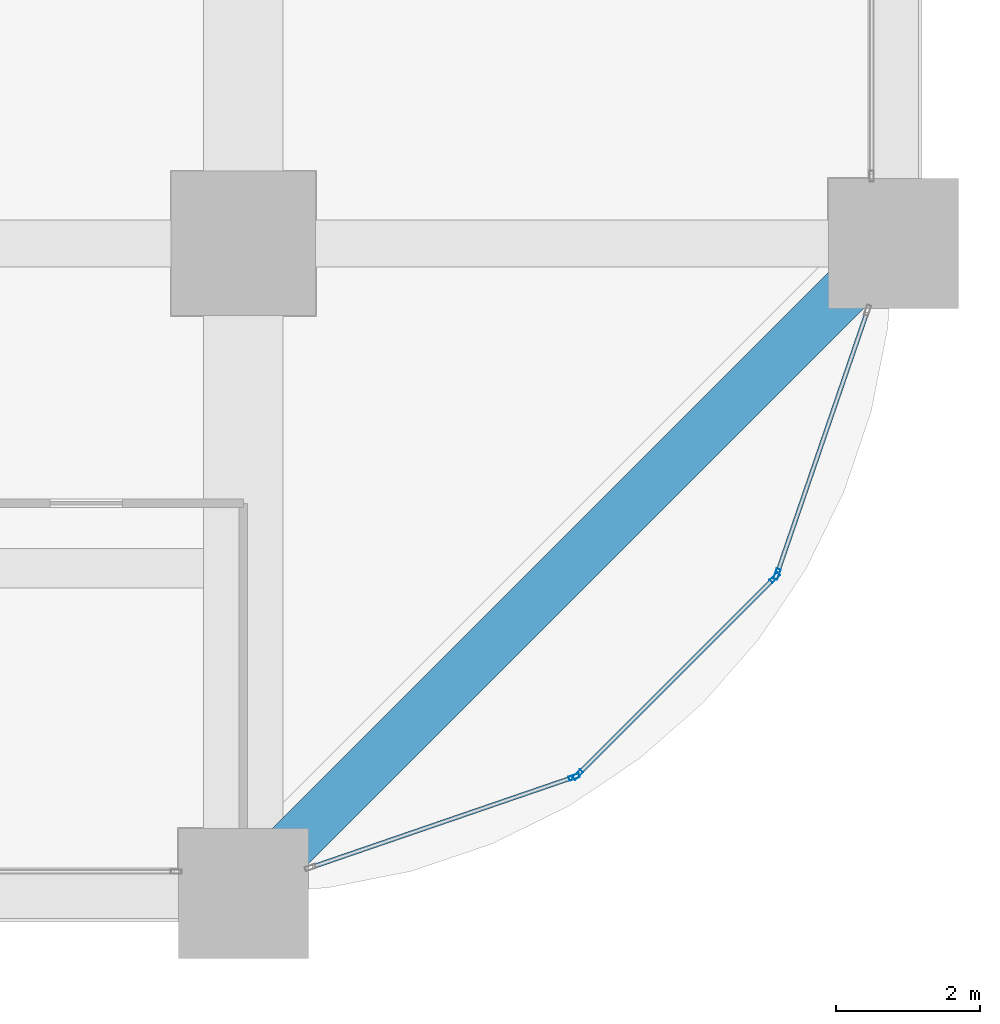
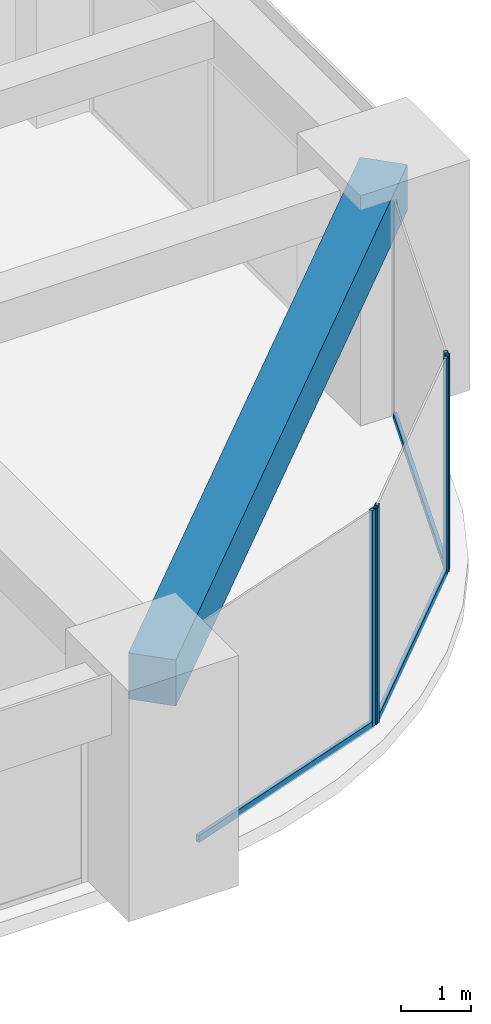
# One storey, part 17 of 41: 7 members, 1 beam, 3 elements without a shape of their own.
"""IFC4 building model written with IfcOpenShell, lengths in metres."""

from ifc_helpers import new_model, si_unit, direction, frame, origin, origin_2d, place, context, subcontext, project, spatial, rectangle, hollow_rectangle, extrude, material, material_profile, profile_set, type_object, element, aggregate, save


model = new_model("IFC4")

# Units and contexts
model_context = context("Model", 3, precision=1e-05, world=origin(), true_north=direction((0.0, 1.0)))
body_context = subcontext(model_context, "Body", "Model", "MODEL_VIEW")
ifc_project = project(units=[si_unit("LENGTHUNIT", "METRE"), si_unit("AREAUNIT", "SQUARE_METRE"), si_unit("VOLUMEUNIT", "CUBIC_METRE"), si_unit("PLANEANGLEUNIT", "RADIAN"), si_unit("MASSUNIT", "GRAM", prefix="KILO")], contexts=[model_context])

# Site, building, storey
site_placement = place(None, origin())
site = spatial("IfcSite", under=ifc_project, at=site_placement, CompositionType="ELEMENT")
building_placement = place(site_placement, origin())
building = spatial("IfcBuilding", under=site, at=building_placement, Name="Zorevar Civic Tower", CompositionType="ELEMENT")
storey_placement = place(building_placement, frame((0.0, 0.0, 97.0)))
storey = spatial("IfcBuildingStorey", under=building, at=storey_placement, Name="L23", CompositionType="ELEMENT", Elevation=97.0)

# Curtain wall, member
ifc_material_1 = material(Name="Dark grey solar-control glass in black aluminium frame", Category="aluminium")
curtain_wall_type = type_object("IfcCurtainWallType", Name="Curtain wall CW3 mid zone", PredefinedType="NOTDEFINED", material=ifc_material_1)
curtain_wall_1_placement = place(storey_placement, origin())
curtain_wall_1 = element("IfcCurtainWall", 1, at=curtain_wall_1_placement, inside=storey, type_object=curtain_wall_type, Name="CW3 L23", PredefinedType="NOTDEFINED")
ifc_material_2 = material(Name="Aluminium, black anodised", Category="aluminium")
ifc_material_profile_1 = material_profile(ifc_material_2, hollow_rectangle(XDim=0.06005859375, YDim=0.14990234375, WallThickness=0.00390625, at=origin_2d()), Name="AL 150x60x4")
ifc_profile_set_1 = profile_set([ifc_material_profile_1], Name="Aluminium, black anodised")
member_type_1 = type_object("IfcMemberType", Name="CW3 mullion AL 150x60x4", PredefinedType="MULLION", material=ifc_profile_set_1)
member_1_placement = place(storey_placement, frame((58.579345703125, 1.610595703125, 0.0), z_axis=(0.0, 0.0, 1.0), x_axis=(-0.324878466857, 0.945755772794, 0.0)))
member_1 = element("IfcMember", 2, at=member_1_placement, type_object=member_type_1, Name="CW3 mullion 2", PredefinedType="MULLION", context=body_context, shape_type="SweptSolid", body=[
    extrude(hollow_rectangle(XDim=0.06005859375, YDim=0.14990234375, WallThickness=0.00390625, at=origin_2d()), origin(), (0.0, 0.0, 1.0), 3.75),
])

# Curtain wall, members
curtain_wall_2_placement = place(storey_placement, origin())
curtain_wall_2 = element("IfcCurtainWall", 3, at=curtain_wall_2_placement, inside=storey, type_object=curtain_wall_type, Name="CW3 L23", PredefinedType="NOTDEFINED")
member_2_placement = place(storey_placement, frame((58.62890625, 1.6416015625, 0.0), z_axis=(0.0, 0.0, 1.0), x_axis=(-0.707106781187, 0.707106781187, 0.0)))
member_2 = element("IfcMember", 4, at=member_2_placement, type_object=member_type_1, Name="CW3 mullion 1", PredefinedType="MULLION", context=body_context, shape_type="SweptSolid", body=[
    extrude(hollow_rectangle(XDim=0.06005859375, YDim=0.14990234375, WallThickness=0.00390625, at=origin_2d()), origin(), (0.0, 0.0, 1.0), 3.75),
])
member_3_placement = place(storey_placement, frame((61.3583984375, 4.37109375, 0.0), z_axis=(0.0, 0.0, 1.0), x_axis=(-0.707106781187, 0.707106781187, 0.0)))
member_3 = element("IfcMember", 5, at=member_3_placement, type_object=member_type_1, Name="CW3 mullion 2", PredefinedType="MULLION", context=body_context, shape_type="SweptSolid", body=[
    extrude(hollow_rectangle(XDim=0.06005859375, YDim=0.14990234375, WallThickness=0.00390625, at=origin_2d()), origin(), (0.0, 0.0, 1.0), 3.75),
])

# Curtain wall, member
curtain_wall_3_placement = place(storey_placement, origin())
curtain_wall_3 = element("IfcCurtainWall", 6, at=curtain_wall_3_placement, inside=storey, type_object=curtain_wall_type, Name="CW3 L23", PredefinedType="NOTDEFINED")
member_4_placement = place(storey_placement, frame((61.389404296875, 4.420654296875, 0.0), z_axis=(0.0, 0.0, 1.0), x_axis=(-0.945755772794, 0.324878466857, 0.0)))
member_4 = element("IfcMember", 7, at=member_4_placement, type_object=member_type_1, Name="CW3 mullion 1", PredefinedType="MULLION", context=body_context, shape_type="SweptSolid", body=[
    extrude(hollow_rectangle(XDim=0.06005859375, YDim=0.14990234375, WallThickness=0.00390625, at=origin_2d()), origin(), (0.0, 0.0, 1.0), 3.75),
])

# Member
ifc_material_3 = material(Name="Aluminium, black anodised", Category="aluminium")
ifc_material_profile_2 = material_profile(ifc_material_3, hollow_rectangle(XDim=0.06005859375, YDim=0.1201171875, WallThickness=0.0029296875, at=origin_2d()), Name="AL 120x60x3")
ifc_profile_set_2 = profile_set([ifc_material_profile_2], Name="Aluminium, black anodised")
member_type_2 = type_object("IfcMemberType", Name="CW3 transom AL 120x60x3", PredefinedType="USERDEFINED", material=ifc_profile_set_2)
member_5_placement = place(storey_placement, frame((54.956787109375, 0.3662109375, 0.030029296875), z_axis=(0.945752620422, 0.324887643602, 0.0), x_axis=(-0.324887643602, 0.945752620422, 0.0)))
member_5 = element("IfcMember", 8, at=member_5_placement, type_object=member_type_2, Name="CW3 sill transom", ObjectType="TRANSOM", PredefinedType="USERDEFINED", context=body_context, shape_type="SweptSolid", body=[
    extrude(hollow_rectangle(XDim=0.06005859375, YDim=0.1201171875, WallThickness=0.0029296875, at=origin_2d()), origin(), (0.0, 0.0, 1.0), 3.800048828125),
])

aggregate(curtain_wall_1, [member_1, member_5])

member_6_placement = place(storey_placement, frame((58.650146484375, 1.662841796875, 0.030029296875), z_axis=(0.707106781187, 0.707106781187, 0.0), x_axis=(-0.707106781187, 0.707106781187, 0.0)))
member_6 = element("IfcMember", 9, at=member_6_placement, type_object=member_type_2, Name="CW3 sill transom", ObjectType="TRANSOM", PredefinedType="USERDEFINED", context=body_context, shape_type="SweptSolid", body=[
    extrude(hollow_rectangle(XDim=0.06005859375, YDim=0.1201171875, WallThickness=0.0029296875, at=origin_2d()), origin(), (0.0, 0.0, 1.0), 3.800048828125),
])

aggregate(curtain_wall_2, [member_2, member_3, member_6])

member_7_placement = place(storey_placement, frame((61.399169921875, 4.44921875, 0.030029296875), z_axis=(0.324887643602, 0.945752620422, 0.0), x_axis=(-0.945752620422, 0.324887643602, 0.0)))
member_7 = element("IfcMember", 10, at=member_7_placement, type_object=member_type_2, Name="CW3 sill transom", ObjectType="TRANSOM", PredefinedType="USERDEFINED", context=body_context, shape_type="SweptSolid", body=[
    extrude(hollow_rectangle(XDim=0.06005859375, YDim=0.1201171875, WallThickness=0.0029296875, at=origin_2d()), origin(), (0.0, 0.0, 1.0), 3.800048828125),
])

aggregate(curtain_wall_3, [member_4, member_7])

# Beam
ifc_material_4 = material(Name="Concrete C50/60", Category="concrete")
ifc_material_profile_3 = material_profile(ifc_material_4, rectangle(XDim=0.699951171875, YDim=0.800048828125, at=origin_2d()), Name="RC 700x800")
ifc_profile_set_3 = profile_set([ifc_material_profile_3], Name="Concrete C50/60")
beam_type = type_object("IfcBeamType", Name="Edge beam RC 700x800", PredefinedType="SPANDREL", material=ifc_profile_set_3)
beam_placement = place(storey_placement, frame((54.0, 0.0, 3.35009765625), z_axis=(0.707106781187, 0.707106781187, 0.0), x_axis=(-0.707106781187, 0.707106781187, 0.0)))
element("IfcBeam", 11, at=beam_placement, inside=storey, type_object=beam_type, Name="Corner edge beam L24", PredefinedType="SPANDREL", context=body_context, shape_type="SweptSolid", body=[
    extrude(rectangle(XDim=0.699951171875, YDim=0.800048828125, at=origin_2d()), origin(), (0.0, 0.0, 1.0), 12.72802734375),
])

save(model, "model.ifc")
